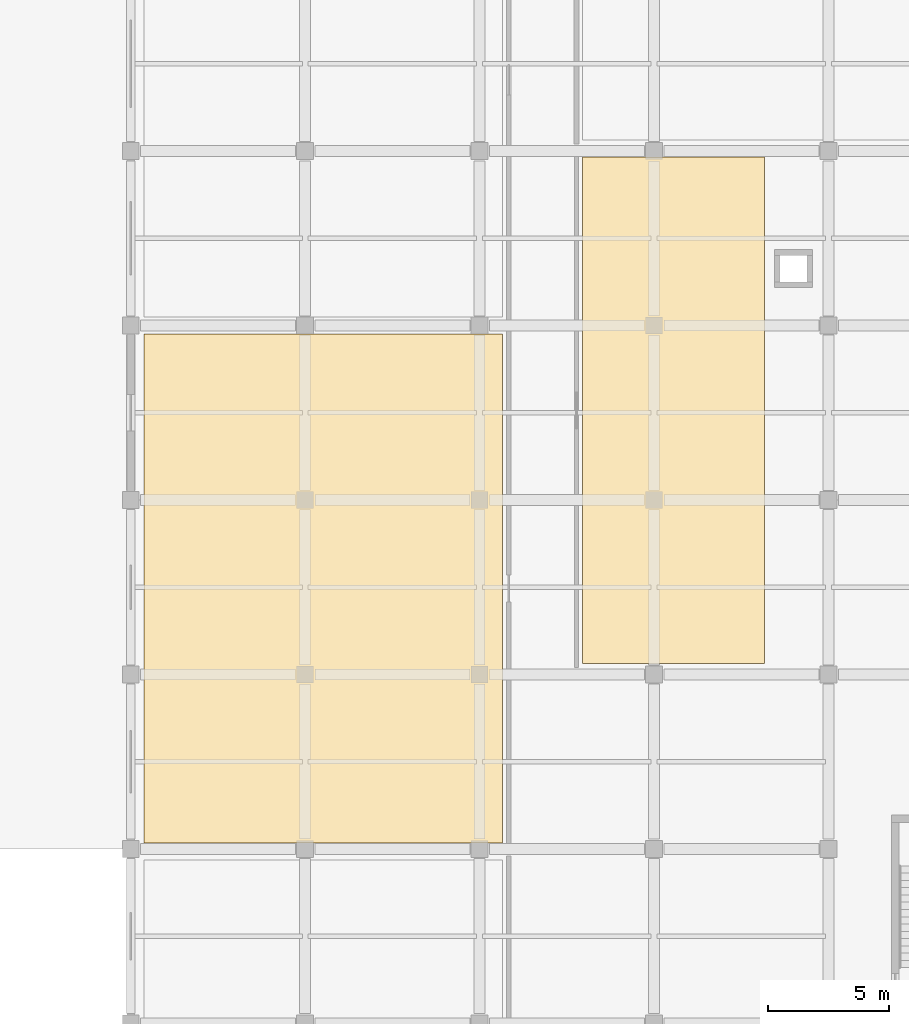
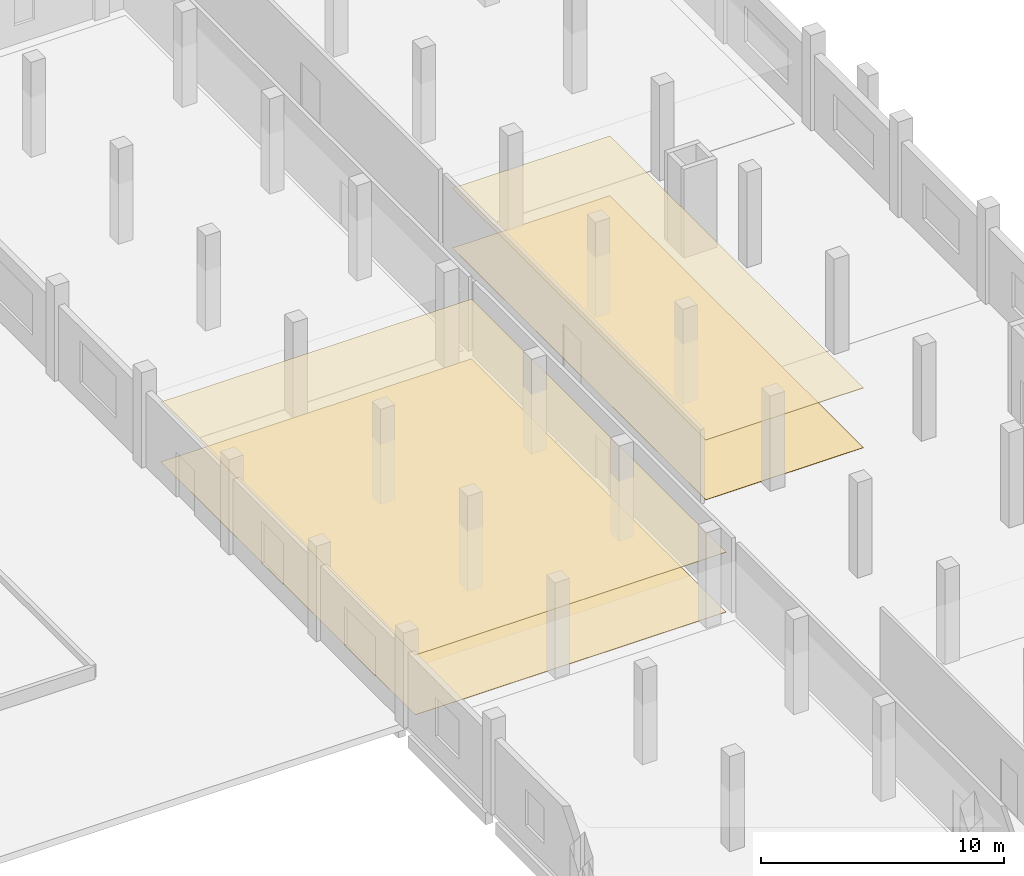
# One storey, part 56 of 59: 4 coverings.
"""IFC4 building model written with IfcOpenShell, lengths in metres."""

from ifc_helpers import new_model, si_unit, direction, frame, origin, place, context, subcontext, project, spatial, polyline, outline, extrude, material, layer, layer_set, type_object, element, save


model = new_model("IFC4")

# Units and contexts
model_context = context("Model", 3, precision=1e-05, world=origin(), true_north=direction((0.0, 1.0)))
body_context = subcontext(model_context, "Body", "Model", "MODEL_VIEW")
ifc_project = project(units=[si_unit("LENGTHUNIT", "METRE"), si_unit("AREAUNIT", "SQUARE_METRE"), si_unit("VOLUMEUNIT", "CUBIC_METRE"), si_unit("PLANEANGLEUNIT", "RADIAN"), si_unit("MASSUNIT", "GRAM", prefix="KILO")], contexts=[model_context])

# Site, building, storey
site_placement = place(None, origin())
site = spatial("IfcSite", under=ifc_project, at=site_placement, CompositionType="ELEMENT")
building_placement = place(site_placement, origin())
building = spatial("IfcBuilding", under=site, at=building_placement, Name="Valkovuoma Quantum and Materials Research Institute", CompositionType="ELEMENT")
storey_placement = place(building_placement, origin())
storey = spatial("IfcBuildingStorey", under=building, at=storey_placement, Name="L00", CompositionType="ELEMENT", Elevation=0.0)

# Coverings
ifc_material_1 = material(Name="Cleanable acoustic mineral-fibre suspended ceiling", Category="masonry")
ifc_layer_1 = layer(ifc_material_1, 0.02490234375)
ifc_layer_set_1 = layer_set([ifc_layer_1], Name="Cleanable acoustic mineral-fibre suspended ceiling")
covering_type_1 = type_object("IfcCoveringType", Name="Cov-CEIL-01", PredefinedType="CEILING", material=ifc_layer_set_1)
covering_1_placement = place(storey_placement, frame((0.0, 0.0, 3.0)))
element("IfcCovering", 1, at=covering_1_placement, inside=storey, type_object=covering_type_1, Name="L00 acoustic ceiling 0020", PredefinedType="CEILING", context=body_context, shape_type="SweptSolid", body=[
    extrude(outline(polyline([(130.14990234375, 65.050048828125), (144.949951171875, 65.050048828125), (144.949951171875, 86.050048828125), (130.14990234375, 86.050048828125), (130.14990234375, 65.050048828125)])), origin(), (0.0, 0.0, 1.0), 0.02490234375),
])
covering_2_placement = place(storey_placement, frame((0.0, 0.0, 3.0)))
element("IfcCovering", 2, at=covering_2_placement, inside=storey, type_object=covering_type_1, Name="L00 acoustic ceiling 0023", PredefinedType="CEILING", context=body_context, shape_type="SweptSolid", body=[
    extrude(outline(polyline([(148.25, 72.449951171875), (155.75, 72.449951171875), (155.75, 93.35009765625), (148.25, 93.35009765625), (148.25, 72.449951171875)])), origin(), (0.0, 0.0, 1.0), 0.02490234375),
])
ifc_material_2 = material(Name="Seamless dissipative laboratory resin flooring", Category="masonry")
ifc_layer_2 = layer(ifc_material_2, 0.014892578125)
ifc_layer_set_2 = layer_set([ifc_layer_2], Name="Seamless dissipative laboratory resin flooring")
covering_type_2 = type_object("IfcCoveringType", Name="Cov-FLOR-01", PredefinedType="FLOORING", material=ifc_layer_set_2)
covering_3_placement = place(storey_placement, origin())
element("IfcCovering", 3, at=covering_3_placement, inside=storey, type_object=covering_type_2, Name="L00 resin flooring 0020", PredefinedType="FLOORING", context=body_context, shape_type="SweptSolid", body=[
    extrude(outline(polyline([(130.14990234375, 65.050048828125), (144.949951171875, 65.050048828125), (144.949951171875, 86.050048828125), (130.14990234375, 86.050048828125), (130.14990234375, 65.050048828125)])), origin(), (0.0, 0.0, 1.0), 0.014892578125),
])
covering_4_placement = place(storey_placement, origin())
element("IfcCovering", 4, at=covering_4_placement, inside=storey, type_object=covering_type_2, Name="L00 resin flooring 0023", PredefinedType="FLOORING", context=body_context, shape_type="SweptSolid", body=[
    extrude(outline(polyline([(148.25, 72.449951171875), (155.75, 72.449951171875), (155.75, 93.35009765625), (148.25, 93.35009765625), (148.25, 72.449951171875)])), origin(), (0.0, 0.0, 1.0), 0.014892578125),
])

save(model, "model.ifc")
